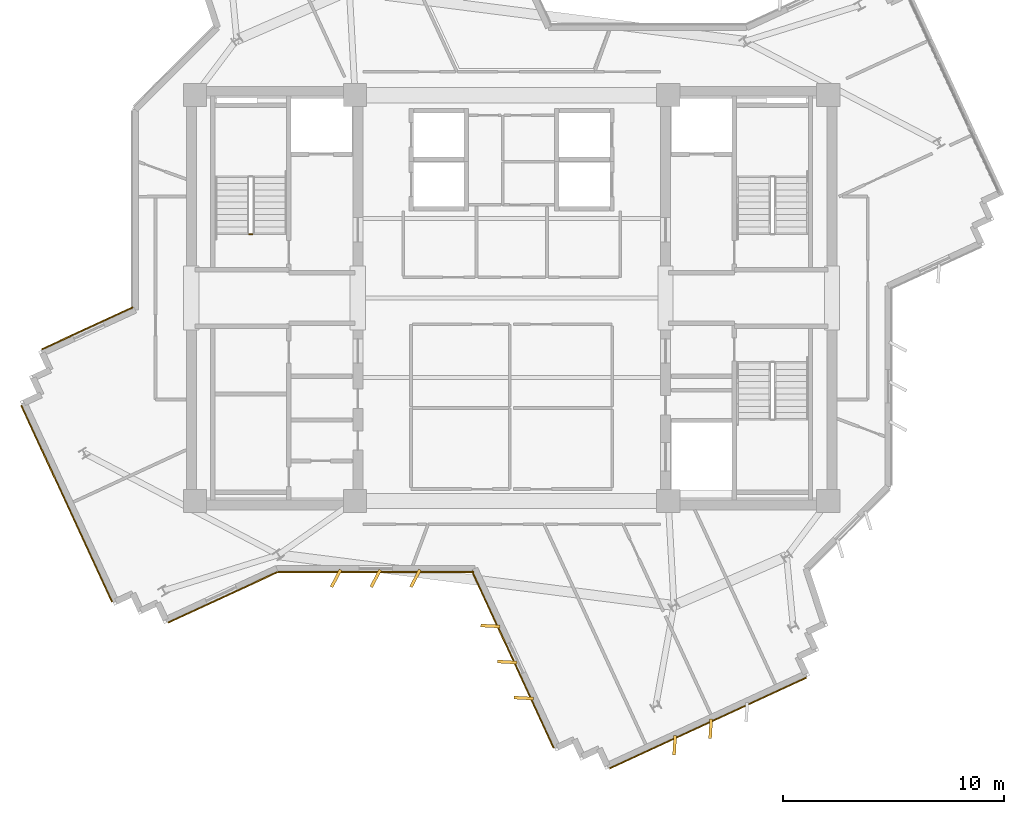
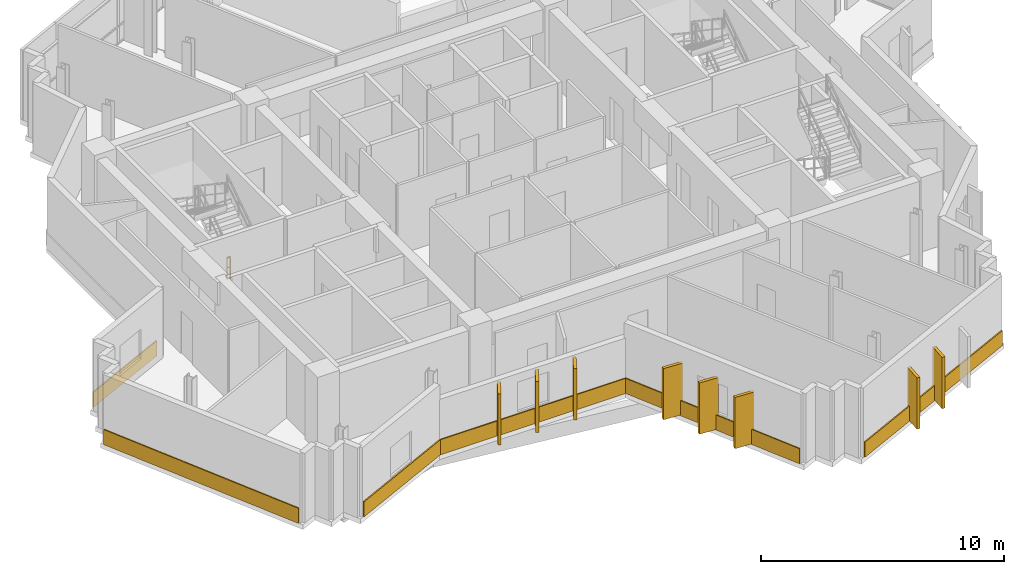
# One storey, part 10 of 12: 14 coverings, 1 railing.
"""IFC4 building model written with IfcOpenShell, lengths in metres."""

from ifc_helpers import new_model, si_unit, direction, frame, origin, origin_2d, place, context, subcontext, project, spatial, rectangle, extrude, source, transform, mapped, material, layer, layer_set, type_object, element, save


model = new_model("IFC4")

# Units and contexts
model_context = context("Model", 3, precision=1e-05, world=origin(), true_north=direction((0.0, 1.0)))
body_context = subcontext(model_context, "Body", "Model", "MODEL_VIEW")
ifc_project = project(units=[si_unit("LENGTHUNIT", "METRE"), si_unit("AREAUNIT", "SQUARE_METRE"), si_unit("VOLUMEUNIT", "CUBIC_METRE"), si_unit("PLANEANGLEUNIT", "RADIAN"), si_unit("MASSUNIT", "GRAM", prefix="KILO")], contexts=[model_context])

# Site, building, storey
site_placement = place(None, origin())
site = spatial("IfcSite", under=ifc_project, at=site_placement, CompositionType="ELEMENT")
building_placement = place(site_placement, origin())
building = spatial("IfcBuilding", under=site, at=building_placement, Name="Zahravan Cultural Tower", CompositionType="ELEMENT")
storey_placement = place(building_placement, frame((0.0, 0.0, 242.85009765625)))
storey = spatial("IfcBuildingStorey", under=building, at=storey_placement, Name="L57", CompositionType="ELEMENT", Elevation=242.85009765625)

# Railing
ifc_material_1 = material(Name="Steel ASTM A572 Grade 50", Category="steel")
railing_type = type_object("IfcRailingType", Name="RL-STAIR-GRD1150", PredefinedType="BALUSTRADE", material=ifc_material_1)
railing_placement = place(storey_placement, frame((24.25, 29.89990234375, 0.0)))
element("IfcRailing", 1, at=railing_placement, inside=storey, type_object=railing_type, Name="L57 ST-W1 stair guard 4", PredefinedType="BALUSTRADE", context=body_context, shape_type="SweptSolid", body=[
    extrude(rectangle(XDim=0.05, YDim=0.05, at=origin_2d()), frame((0.0, 0.0, 1.0751953125), z_axis=(-1.0, 0.0, 0.0), x_axis=(0.0, -1.0, 0.0)), (0.0, 0.0, 1.0), 0.14990234375),
    extrude(rectangle(XDim=0.032, YDim=0.032, at=origin_2d()), frame((0.0, 0.0, 0.572021484375), z_axis=(-1.0, 0.0, 0.0), x_axis=(0.0, -1.0, 0.0)), (0.0, 0.0, 1.0), 0.14990234375),
    extrude(rectangle(XDim=0.04, YDim=0.04, at=origin_2d()), origin(), (0.0, 0.0, 1.0), 1.10009765625),
    extrude(rectangle(XDim=0.04, YDim=0.04, at=origin_2d()), frame((-0.14990234375, 0.0, 0.0)), (0.0, 0.0, 1.0), 1.10009765625),
])

# Coverings
ifc_material_2 = material(Name="Terracotta ceramic cladding", Category="masonry")
ifc_layer = layer(ifc_material_2, 0.06005859375)
ifc_layer_set = layer_set([ifc_layer], Name="Terracotta ceramic cladding")
covering_type = type_object("IfcCoveringType", Name="COV-CLAD-TC60", PredefinedType="CLADDING", material=ifc_layer_set)
shared_shape_1 = source(origin(), body_context, "Body", "SweptSolid", [
    extrude(rectangle(XDim=9.820068359375, YDim=0.06005859375, at=origin_2d()), origin(), (0.0, 0.0, 1.0), 0.760009765625),
])
for number, where, z_axis, x_axis, name in (
    (2, (44.90283203125, 7.732421875, 0.02001953125), (0.0, 0.0, 1.0), (-0.907777478533, -0.419452082446, 0.0), "L57 Terracotta Spandrel Cladding 18"),
    (3, (15.82470703125, 17.677490234375, 0.02001953125), (0.0, 0.0, 1.0), (-0.419452082446, 0.907777478533, 0.0), "L57 Terracotta Spandrel Cladding 30"),
):
    element("IfcCovering", number, at=place(storey_placement, frame(where, z_axis=z_axis, x_axis=x_axis)), inside=storey, type_object=covering_type, Name=name, PredefinedType="CLADDING", context=body_context, shape_type="MappedRepresentation", body=[
        mapped(shared_shape_1, transform((0.0, 0.0, 0.0), x_axis=(1.0, 0.0, 0.0), y_axis=(0.0, 1.0, 0.0), z_axis=(0.0, 0.0, 1.0), scale=1.0)),
    ])
shared_shape_2 = source(origin(), body_context, "Body", "SweptSolid", [
    extrude(rectangle(XDim=4.544189453125, YDim=0.06005859375, at=origin_2d()), origin(), (0.0, 0.0, 1.0), 0.760009765625),
])
covering_1_placement = place(storey_placement, frame((16.7626953125, 25.62939453125, 0.02001953125), z_axis=(0.0, 0.0, 1.0), x_axis=(0.907770157575, 0.419467926088, 0.0)))
element("IfcCovering", 4, at=covering_1_placement, inside=storey, type_object=covering_type, Name="L57 Terracotta Spandrel Cladding 35", PredefinedType="CLADDING", context=body_context, shape_type="MappedRepresentation", body=[
    mapped(shared_shape_2, transform((0.0, 0.0, 0.0), x_axis=(1.0, 0.0, 0.0), y_axis=(0.0, 1.0, 0.0), z_axis=(0.0, 0.0, 1.0), scale=1.0)),
])
shared_shape_3 = source(origin(), body_context, "Body", "SweptSolid", [
    extrude(rectangle(XDim=5.445068359375, YDim=0.06005859375, at=origin_2d()), origin(), (0.0, 0.0, 1.0), 0.760009765625),
])
covering_2_placement = place(storey_placement, frame((22.897216796875, 13.42724609375, 0.02001953125), z_axis=(0.0, 0.0, 1.0), x_axis=(-0.907777478533, -0.419452082446, 0.0)))
element("IfcCovering", 5, at=covering_2_placement, inside=storey, type_object=covering_type, Name="L57 Terracotta Spandrel Cladding 25", PredefinedType="CLADDING", context=body_context, shape_type="MappedRepresentation", body=[
    mapped(shared_shape_3, transform((0.0, 0.0, 0.0), x_axis=(1.0, 0.0, 0.0), y_axis=(0.0, 1.0, 0.0), z_axis=(0.0, 0.0, 1.0), scale=1.0)),
])
shared_shape_4 = source(origin(), body_context, "Body", "SweptSolid", [
    extrude(rectangle(XDim=0.8798828125, YDim=0.139892578125, at=origin_2d()), origin(), (0.0, 0.0, 1.0), 2.580078125),
])
for number, where, z_axis, x_axis, name in (
    (6, (45.0224609375, 7.4736328125, 0.0498046875), (0.0, 0.0, 1.0), (-0.055821504993, -0.998440764182, 0.0), "L57 Herringbone Terracotta Fin 10"),
    (7, (43.388427734375, 6.71875, 0.0498046875), (0.0, 0.0, 1.0), (-0.055821504993, -0.998440764182, 0.0), "L57 Herringbone Terracotta Fin 11"),
    (8, (36.548095703125, 8.86328125, 0.0498046875), (0.0, 0.0, 1.0), (-0.998440764182, 0.055821504993, 0.0), "L57 Herringbone Terracotta Fin 12"),
    (9, (35.793212890625, 10.497314453125, 0.0498046875), (0.0, 0.0, 1.0), (-0.998440764182, 0.055821504993, 0.0), "L57 Herringbone Terracotta Fin 13"),
    (10, (35.0380859375, 12.131103515625, 0.0498046875), (0.0, 0.0, 1.0), (-0.998440764182, 0.055821504993, 0.0), "L57 Herringbone Terracotta Fin 14"),
    (11, (31.636474609375, 14.2900390625, 0.0498046875), (0.0, 0.0, 1.0), (-0.469471562786, -0.882947592859, 0.0), "L57 Herringbone Terracotta Fin 15"),
    (12, (29.83642578125, 14.2900390625, 0.0498046875), (0.0, 0.0, 1.0), (-0.469471562786, -0.882947592859, 0.0), "L57 Herringbone Terracotta Fin 16"),
    (13, (28.03662109375, 14.2900390625, 0.0498046875), (0.0, 0.0, 1.0), (-0.469471562786, -0.882947592859, 0.0), "L57 Herringbone Terracotta Fin 17"),
):
    element("IfcCovering", number, at=place(storey_placement, frame(where, z_axis=z_axis, x_axis=x_axis)), inside=storey, type_object=covering_type, Name=name, PredefinedType="CLADDING", context=body_context, shape_type="MappedRepresentation", body=[
        mapped(shared_shape_4, transform((0.0, 0.0, 0.0), x_axis=(1.0, 0.0, 0.0), y_axis=(0.0, 1.0, 0.0), z_axis=(0.0, 0.0, 1.0), scale=1.0)),
    ])
shared_shape_5 = source(origin(), body_context, "Body", "SweptSolid", [
    extrude(rectangle(XDim=8.831787109375, YDim=0.06005859375, at=origin_2d()), origin(), (0.0, 0.0, 1.0), 0.760009765625),
])
covering_3_placement = place(storey_placement, frame((36.0517578125, 10.61669921875, 0.02001953125), z_axis=(0.0, 0.0, 1.0), x_axis=(-0.419452082446, 0.907777478533, 0.0)))
element("IfcCovering", 14, at=covering_3_placement, inside=storey, type_object=covering_type, Name="L57 Terracotta Spandrel Cladding 23", PredefinedType="CLADDING", context=body_context, shape_type="MappedRepresentation", body=[
    mapped(shared_shape_5, transform((0.0, 0.0, 0.0), x_axis=(1.0, 0.0, 0.0), y_axis=(0.0, 1.0, 0.0), z_axis=(0.0, 0.0, 1.0), scale=1.0)),
])
shared_shape_6 = source(origin(), body_context, "Body", "SweptSolid", [
    extrude(rectangle(XDim=8.883544921875, YDim=0.06005859375, at=origin_2d()), origin(), (0.0, 0.0, 1.0), 0.760009765625),
])
covering_4_placement = place(storey_placement, frame((29.83642578125, 14.574951171875, 0.02001953125), z_axis=(0.0, 0.0, 1.0), x_axis=(-1.0, 0.0, 0.0)))
element("IfcCovering", 15, at=covering_4_placement, inside=storey, type_object=covering_type, Name="L57 Terracotta Spandrel Cladding 24", PredefinedType="CLADDING", context=body_context, shape_type="MappedRepresentation", body=[
    mapped(shared_shape_6, transform((0.0, 0.0, 0.0), x_axis=(1.0, 0.0, 0.0), y_axis=(0.0, 1.0, 0.0), z_axis=(0.0, 0.0, 1.0), scale=1.0)),
])

save(model, "model.ifc")
